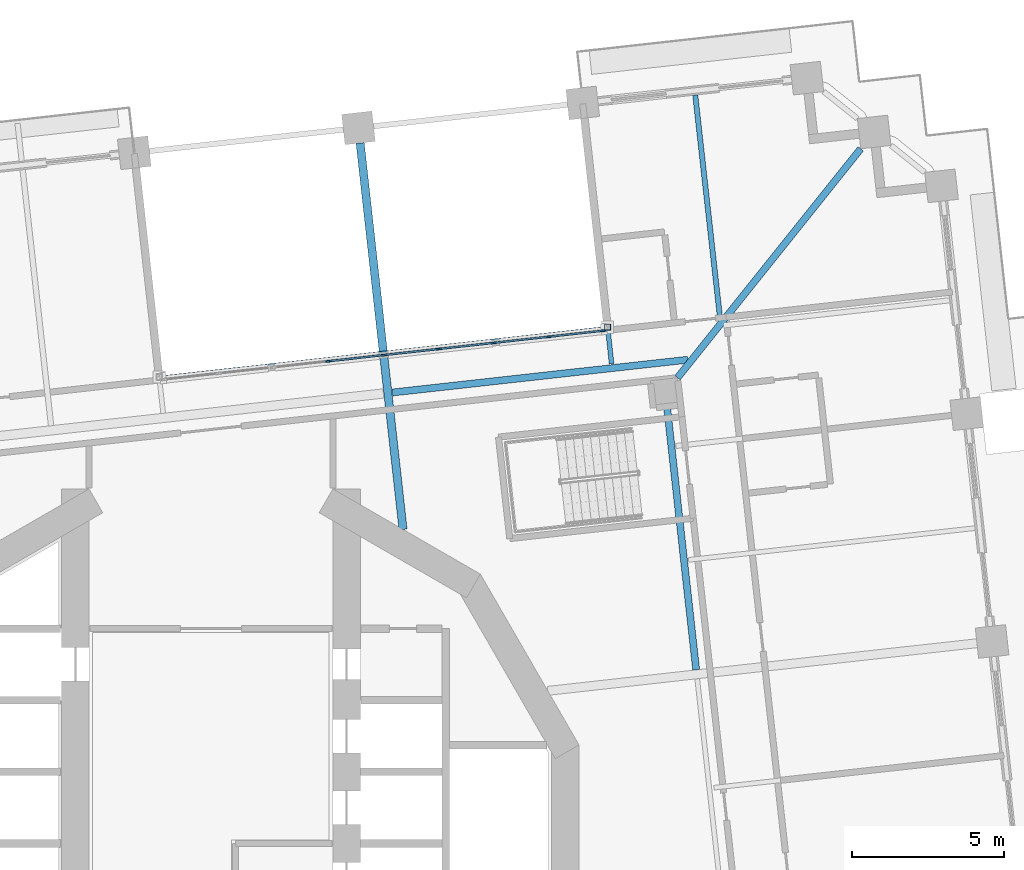
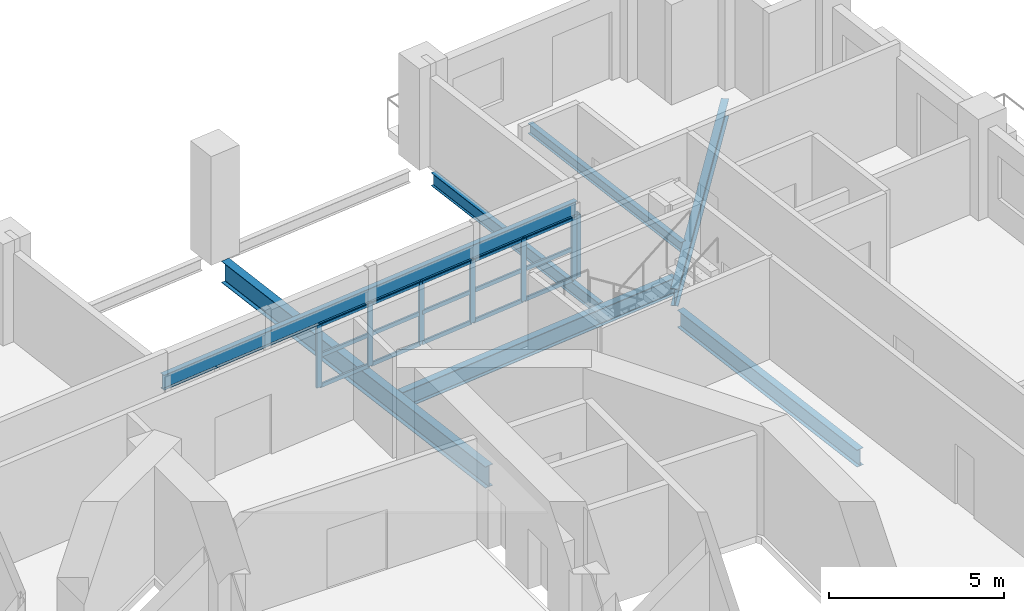
# One storey, part 4 of 20: 22 members, 7 beams, 1 element without a shape of its own.
"""IFC4 building model written with IfcOpenShell, lengths in metres."""

from ifc_helpers import new_model, si_unit, direction, frame, origin, origin_2d, place, context, subcontext, project, spatial, rectangle, hollow_rectangle, i_section, extrude, material, material_profile, profile_set, type_object, element, aggregate, save


model = new_model("IFC4")

# Units and contexts
model_context = context("Model", 3, precision=1e-05, world=origin(), true_north=direction((0.0, 1.0)))
body_context = subcontext(model_context, "Body", "Model", "MODEL_VIEW")
ifc_project = project(units=[si_unit("LENGTHUNIT", "METRE"), si_unit("AREAUNIT", "SQUARE_METRE"), si_unit("VOLUMEUNIT", "CUBIC_METRE"), si_unit("PLANEANGLEUNIT", "RADIAN"), si_unit("MASSUNIT", "GRAM", prefix="KILO")], contexts=[model_context])

# Site, building, storey
site_placement = place(None, origin())
site = spatial("IfcSite", under=ifc_project, at=site_placement, CompositionType="ELEMENT")
building_placement = place(site_placement, origin())
building = spatial("IfcBuilding", under=site, at=building_placement, Name="Cantera Rosa Tower", CompositionType="ELEMENT")
storey_placement = place(building_placement, frame((0.0, 0.0, 50.10009765625)))
storey = spatial("IfcBuildingStorey", under=building, at=storey_placement, Name="L09", CompositionType="ELEMENT", Elevation=50.10009765625)

# Curtain wall, members
ifc_material_1 = material(Name="Aluminium frame with clear glass", Category="aluminium")
curtain_wall_type = type_object("IfcCurtainWallType", Name="CW1 TERRACE POCKET GLAZING", PredefinedType="NOTDEFINED", material=ifc_material_1)
curtain_wall_placement = place(storey_placement, origin())
curtain_wall = element("IfcCurtainWall", 1, at=curtain_wall_placement, inside=storey, type_object=curtain_wall_type, Name="CW1 CW1", PredefinedType="NOTDEFINED")
ifc_material_2 = material(Name="Anodised bronze aluminium", Category="aluminium")
ifc_material_profile_1 = material_profile(ifc_material_2, rectangle(XDim=0.06005859375, YDim=0.179931640625, at=origin_2d()), Name="CW-MULLION 60x180 POCKET")
ifc_profile_set_1 = profile_set([ifc_material_profile_1], Name="Anodised bronze aluminium")
member_type_1 = type_object("IfcMemberType", Name="CW-MULLION 60x180 POCKET", PredefinedType="MULLION", material=ifc_profile_set_1)
member_1_placement = place(storey_placement, frame((12.867919921875, 16.822265625, 0.0), z_axis=(0.0, 0.0, 1.0), x_axis=(0.110312555543, -0.993896946413, 0.0)))
member_1 = element("IfcMember", 2, at=member_1_placement, type_object=member_type_1, Name="CW1 mullion 1", PredefinedType="MULLION", context=body_context, shape_type="SweptSolid", body=[
    extrude(rectangle(XDim=0.06005859375, YDim=0.179931640625, at=origin_2d()), origin(), (0.0, 0.0, 1.0), 2.185791015625),
])
member_2_placement = place(storey_placement, frame((11.090087890625, 16.624755859375, 0.0), z_axis=(0.0, 0.0, 1.0), x_axis=(0.110312555543, -0.993896946413, 0.0)))
member_2 = element("IfcMember", 3, at=member_2_placement, type_object=member_type_1, Name="CW1 mullion 2", PredefinedType="MULLION", context=body_context, shape_type="SweptSolid", body=[
    extrude(rectangle(XDim=0.06005859375, YDim=0.179931640625, at=origin_2d()), origin(), (0.0, 0.0, 1.0), 2.185791015625),
])
member_3_placement = place(storey_placement, frame((9.282470703125, 16.42431640625, 0.0), z_axis=(0.0, 0.0, 1.0), x_axis=(0.110312555543, -0.993896946413, 0.0)))
member_3 = element("IfcMember", 4, at=member_3_placement, type_object=member_type_1, Name="CW1 mullion 3", PredefinedType="MULLION", context=body_context, shape_type="SweptSolid", body=[
    extrude(rectangle(XDim=0.06005859375, YDim=0.179931640625, at=origin_2d()), origin(), (0.0, 0.0, 1.0), 2.185791015625),
])
member_4_placement = place(storey_placement, frame((7.474609375, 16.2236328125, 0.0), z_axis=(0.0, 0.0, 1.0), x_axis=(0.110312555543, -0.993896946413, 0.0)))
member_4 = element("IfcMember", 5, at=member_4_placement, type_object=member_type_1, Name="CW1 mullion 4", PredefinedType="MULLION", context=body_context, shape_type="SweptSolid", body=[
    extrude(rectangle(XDim=0.06005859375, YDim=0.179931640625, at=origin_2d()), origin(), (0.0, 0.0, 1.0), 2.185791015625),
])
member_5_placement = place(storey_placement, frame((5.6669921875, 16.02294921875, 0.0), z_axis=(0.0, 0.0, 1.0), x_axis=(0.110312555543, -0.993896946413, 0.0)))
member_5 = element("IfcMember", 6, at=member_5_placement, type_object=member_type_1, Name="CW1 mullion 5", PredefinedType="MULLION", context=body_context, shape_type="SweptSolid", body=[
    extrude(rectangle(XDim=0.06005859375, YDim=0.179931640625, at=origin_2d()), origin(), (0.0, 0.0, 1.0), 2.185791015625),
])
member_6_placement = place(storey_placement, frame((3.859375, 15.822265625, 0.0), z_axis=(0.0, 0.0, 1.0), x_axis=(0.110312555543, -0.993896946413, 0.0)))
member_6 = element("IfcMember", 7, at=member_6_placement, type_object=member_type_1, Name="CW1 mullion 6", PredefinedType="MULLION", context=body_context, shape_type="SweptSolid", body=[
    extrude(rectangle(XDim=0.06005859375, YDim=0.179931640625, at=origin_2d()), origin(), (0.0, 0.0, 1.0), 2.185791015625),
])
ifc_material_3 = material(Name="Anodised bronze aluminium", Category="aluminium")
ifc_material_profile_2 = material_profile(ifc_material_3, rectangle(XDim=0.06005859375, YDim=0.139892578125, at=origin_2d()), Name="CW-TRANSOM 60x140 POCKET")
ifc_profile_set_2 = profile_set([ifc_material_profile_2], Name="Anodised bronze aluminium")
member_type_2 = type_object("IfcMemberType", Name="CW-TRANSOM 60x140 POCKET", PredefinedType="USERDEFINED", material=ifc_profile_set_2)
member_7_placement = place(storey_placement, frame((12.838134765625, 16.81884765625, 0.02978515625), z_axis=(-0.993899224529, -0.110292028184, 0.0), x_axis=(0.110292028184, -0.993899224529, 0.0)))
member_7 = element("IfcMember", 8, at=member_7_placement, type_object=member_type_2, Name="CW1 transom 1.1", ObjectType="TRANSOM", PredefinedType="USERDEFINED", context=body_context, shape_type="SweptSolid", body=[
    extrude(rectangle(XDim=0.06005859375, YDim=0.139892578125, at=origin_2d()), origin(), (0.0, 0.0, 1.0), 1.728759765625),
])
member_8_placement = place(storey_placement, frame((12.838134765625, 16.81884765625, 1.093017578125), z_axis=(-0.993899224529, -0.110292028184, 0.0), x_axis=(0.110292028184, -0.993899224529, 0.0)))
member_8 = element("IfcMember", 9, at=member_8_placement, type_object=member_type_2, Name="CW1 transom 1.2", ObjectType="TRANSOM", PredefinedType="USERDEFINED", context=body_context, shape_type="SweptSolid", body=[
    extrude(rectangle(XDim=0.06005859375, YDim=0.139892578125, at=origin_2d()), origin(), (0.0, 0.0, 1.0), 1.728759765625),
])
member_9_placement = place(storey_placement, frame((12.838134765625, 16.81884765625, 2.156005859375), z_axis=(-0.993899224529, -0.110292028184, 0.0), x_axis=(0.110292028184, -0.993899224529, 0.0)))
member_9 = element("IfcMember", 10, at=member_9_placement, type_object=member_type_2, Name="CW1 transom 1.3", ObjectType="TRANSOM", PredefinedType="USERDEFINED", context=body_context, shape_type="SweptSolid", body=[
    extrude(rectangle(XDim=0.06005859375, YDim=0.139892578125, at=origin_2d()), origin(), (0.0, 0.0, 1.0), 1.728759765625),
])
member_10_placement = place(storey_placement, frame((11.060302734375, 16.62158203125, 0.02978515625), z_axis=(-0.993892195886, -0.110355348566, 0.0), x_axis=(0.110355348566, -0.993892195886, 0.0)))
member_10 = element("IfcMember", 11, at=member_10_placement, type_object=member_type_2, Name="CW1 transom 2.1", ObjectType="TRANSOM", PredefinedType="USERDEFINED", context=body_context, shape_type="SweptSolid", body=[
    extrude(rectangle(XDim=0.06005859375, YDim=0.139892578125, at=origin_2d()), origin(), (0.0, 0.0, 1.0), 1.7587890625),
])
member_11_placement = place(storey_placement, frame((11.060302734375, 16.62158203125, 1.093017578125), z_axis=(-0.993892195886, -0.110355348566, 0.0), x_axis=(0.110355348566, -0.993892195886, 0.0)))
member_11 = element("IfcMember", 12, at=member_11_placement, type_object=member_type_2, Name="CW1 transom 2.2", ObjectType="TRANSOM", PredefinedType="USERDEFINED", context=body_context, shape_type="SweptSolid", body=[
    extrude(rectangle(XDim=0.06005859375, YDim=0.139892578125, at=origin_2d()), origin(), (0.0, 0.0, 1.0), 1.7587890625),
])
member_12_placement = place(storey_placement, frame((11.060302734375, 16.62158203125, 2.156005859375), z_axis=(-0.993892195886, -0.110355348566, 0.0), x_axis=(0.110355348566, -0.993892195886, 0.0)))
member_12 = element("IfcMember", 13, at=member_12_placement, type_object=member_type_2, Name="CW1 transom 2.3", ObjectType="TRANSOM", PredefinedType="USERDEFINED", context=body_context, shape_type="SweptSolid", body=[
    extrude(rectangle(XDim=0.06005859375, YDim=0.139892578125, at=origin_2d()), origin(), (0.0, 0.0, 1.0), 1.7587890625),
])
member_13_placement = place(storey_placement, frame((9.25244140625, 16.4208984375, 0.02978515625), z_axis=(-0.993890505044, -0.11037057571, 0.0), x_axis=(0.11037057571, -0.993890505044, 0.0)))
member_13 = element("IfcMember", 14, at=member_13_placement, type_object=member_type_2, Name="CW1 transom 3.1", ObjectType="TRANSOM", PredefinedType="USERDEFINED", context=body_context, shape_type="SweptSolid", body=[
    extrude(rectangle(XDim=0.06005859375, YDim=0.139892578125, at=origin_2d()), origin(), (0.0, 0.0, 1.0), 1.758544921875),
])
member_14_placement = place(storey_placement, frame((9.25244140625, 16.4208984375, 1.093017578125), z_axis=(-0.993890505044, -0.11037057571, 0.0), x_axis=(0.11037057571, -0.993890505044, 0.0)))
member_14 = element("IfcMember", 15, at=member_14_placement, type_object=member_type_2, Name="CW1 transom 3.2", ObjectType="TRANSOM", PredefinedType="USERDEFINED", context=body_context, shape_type="SweptSolid", body=[
    extrude(rectangle(XDim=0.06005859375, YDim=0.139892578125, at=origin_2d()), origin(), (0.0, 0.0, 1.0), 1.758544921875),
])
member_15_placement = place(storey_placement, frame((9.25244140625, 16.4208984375, 2.156005859375), z_axis=(-0.993890505044, -0.11037057571, 0.0), x_axis=(0.11037057571, -0.993890505044, 0.0)))
member_15 = element("IfcMember", 16, at=member_15_placement, type_object=member_type_2, Name="CW1 transom 3.3", ObjectType="TRANSOM", PredefinedType="USERDEFINED", context=body_context, shape_type="SweptSolid", body=[
    extrude(rectangle(XDim=0.06005859375, YDim=0.139892578125, at=origin_2d()), origin(), (0.0, 0.0, 1.0), 1.758544921875),
])
member_16_placement = place(storey_placement, frame((7.44482421875, 16.22021484375, 0.02978515625), z_axis=(-0.993907411717, -0.110218224148, 0.0), x_axis=(0.110218224148, -0.993907411717, 0.0)))
member_16 = element("IfcMember", 17, at=member_16_placement, type_object=member_type_2, Name="CW1 transom 4.1", ObjectType="TRANSOM", PredefinedType="USERDEFINED", context=body_context, shape_type="SweptSolid", body=[
    extrude(rectangle(XDim=0.06005859375, YDim=0.139892578125, at=origin_2d()), origin(), (0.0, 0.0, 1.0), 1.7587890625),
])
member_17_placement = place(storey_placement, frame((7.44482421875, 16.22021484375, 1.093017578125), z_axis=(-0.993907411717, -0.110218224148, 0.0), x_axis=(0.110218224148, -0.993907411717, 0.0)))
member_17 = element("IfcMember", 18, at=member_17_placement, type_object=member_type_2, Name="CW1 transom 4.2", ObjectType="TRANSOM", PredefinedType="USERDEFINED", context=body_context, shape_type="SweptSolid", body=[
    extrude(rectangle(XDim=0.06005859375, YDim=0.139892578125, at=origin_2d()), origin(), (0.0, 0.0, 1.0), 1.7587890625),
])
member_18_placement = place(storey_placement, frame((7.44482421875, 16.22021484375, 2.156005859375), z_axis=(-0.993907411717, -0.110218224148, 0.0), x_axis=(0.110218224148, -0.993907411717, 0.0)))
member_18 = element("IfcMember", 19, at=member_18_placement, type_object=member_type_2, Name="CW1 transom 4.3", ObjectType="TRANSOM", PredefinedType="USERDEFINED", context=body_context, shape_type="SweptSolid", body=[
    extrude(rectangle(XDim=0.06005859375, YDim=0.139892578125, at=origin_2d()), origin(), (0.0, 0.0, 1.0), 1.7587890625),
])
member_19_placement = place(storey_placement, frame((5.63720703125, 16.01953125, 0.02978515625), z_axis=(-0.993907411717, -0.110218224148, 0.0), x_axis=(0.110218224148, -0.993907411717, 0.0)))
member_19 = element("IfcMember", 20, at=member_19_placement, type_object=member_type_2, Name="CW1 transom 5.1", ObjectType="TRANSOM", PredefinedType="USERDEFINED", context=body_context, shape_type="SweptSolid", body=[
    extrude(rectangle(XDim=0.06005859375, YDim=0.139892578125, at=origin_2d()), origin(), (0.0, 0.0, 1.0), 1.7587890625),
])
member_20_placement = place(storey_placement, frame((5.63720703125, 16.01953125, 1.093017578125), z_axis=(-0.993907411717, -0.110218224148, 0.0), x_axis=(0.110218224148, -0.993907411717, 0.0)))
member_20 = element("IfcMember", 21, at=member_20_placement, type_object=member_type_2, Name="CW1 transom 5.2", ObjectType="TRANSOM", PredefinedType="USERDEFINED", context=body_context, shape_type="SweptSolid", body=[
    extrude(rectangle(XDim=0.06005859375, YDim=0.139892578125, at=origin_2d()), origin(), (0.0, 0.0, 1.0), 1.7587890625),
])
member_21_placement = place(storey_placement, frame((5.63720703125, 16.01953125, 2.156005859375), z_axis=(-0.993907411717, -0.110218224148, 0.0), x_axis=(0.110218224148, -0.993907411717, 0.0)))
member_21 = element("IfcMember", 22, at=member_21_placement, type_object=member_type_2, Name="CW1 transom 5.3", ObjectType="TRANSOM", PredefinedType="USERDEFINED", context=body_context, shape_type="SweptSolid", body=[
    extrude(rectangle(XDim=0.06005859375, YDim=0.139892578125, at=origin_2d()), origin(), (0.0, 0.0, 1.0), 1.7587890625),
])
aggregate(curtain_wall, [member_1, member_2, member_3, member_4, member_5, member_6, member_7, member_8, member_9, member_10, member_11, member_12, member_13, member_14, member_15, member_16, member_17, member_18, member_19, member_20, member_21])

# Member
ifc_material_4 = material(Name="Steel ASTM A992 (Fy 345 MPa)", Category="steel")
ifc_material_profile_3 = material_profile(ifc_material_4, hollow_rectangle(XDim=0.199951171875, YDim=0.199951171875, WallThickness=0.010009765625, at=origin_2d()), Name="LINTEL POST RHS 200x200x10")
ifc_profile_set_3 = profile_set([ifc_material_profile_3], Name="Steel ASTM A992 (Fy 345 MPa)")
member_type_3 = type_object("IfcMemberType", Name="LINTEL POST RHS 200x200x10", PredefinedType="USERDEFINED", material=ifc_profile_set_3)
member_22_placement = place(storey_placement, frame((13.010986328125, 16.938720703125, 0.0), z_axis=(0.0, 0.0, 1.0), x_axis=(1.0, 0.0, 0.0)))
element("IfcMember", 23, at=member_22_placement, inside=storey, type_object=member_type_3, Name="LINTEL POST L09-1", ObjectType="LINTEL POST", PredefinedType="USERDEFINED", context=body_context, shape_type="SweptSolid", body=[
    extrude(hollow_rectangle(XDim=0.199951171875, YDim=0.199951171875, WallThickness=0.010009765625, at=origin_2d()), origin(), (0.0, 0.0, 1.0), 2.18798828125),
])

# Beams
ifc_material_5 = material(Name="Steel ASTM A992 (Fy 345 MPa)", Category="steel")
ifc_material_profile_4 = material_profile(ifc_material_5, i_section(OverallWidth=0.154052734375, OverallDepth=0.4599609375, WebThickness=0.009033203125, FlangeThickness=0.015380859375, FilletRadius=0.01025390625, at=origin_2d()), Name="W460X68")
ifc_profile_set_4 = profile_set([ifc_material_profile_4], Name="Steel ASTM A992 (Fy 345 MPa)")
beam_type_1 = type_object("IfcBeamType", Name="STEEL BEAM W460X68", PredefinedType="BEAM", material=ifc_profile_set_4)
beam_1_placement = place(storey_placement, frame((12.249755859375, 23.796630859375, -0.47998046875), z_axis=(0.110312435488, -0.993896959738, 0.0), x_axis=(0.993896959738, 0.110312435488, 0.0)))
element("IfcBeam", 24, at=beam_1_placement, inside=storey, type_object=beam_type_1, Name="G-Z1-05 L09", PredefinedType="BEAM", context=body_context, shape_type="SweptSolid", body=[
    extrude(i_section(OverallWidth=0.154052734375, OverallDepth=0.4599609375, WebThickness=0.009033203125, FlangeThickness=0.015380859375, FilletRadius=0.01025390625, at=origin_2d()), origin(), (0.0, 0.0, 1.0), 8.10009765625),
])
ifc_material_6 = material(Name="Steel ASTM A992 (Fy 345 MPa)", Category="steel")
ifc_material_profile_5 = material_profile(ifc_material_6, i_section(OverallWidth=0.166015625, OverallDepth=0.528076171875, WebThickness=0.009765625, FlangeThickness=0.013671875, FilletRadius=0.0126953125, at=origin_2d()), Name="W530X74")
ifc_profile_set_5 = profile_set([ifc_material_profile_5], Name="Steel ASTM A992 (Fy 345 MPa)")
beam_type_2 = type_object("IfcBeamType", Name="STEEL BEAM W530X74", PredefinedType="BEAM", material=ifc_profile_set_5)
beam_2_placement = place(storey_placement, frame((12.966796875, 16.88330078125, 2.451904296875), z_axis=(-0.993897094914, -0.110311217573, 0.0), x_axis=(0.110311217573, -0.993897094914, 0.0)))
element("IfcBeam", 25, at=beam_2_placement, inside=storey, type_object=beam_type_2, Name="LINTEL SL-L09", PredefinedType="BEAM", context=body_context, shape_type="SweptSolid", body=[
    extrude(i_section(OverallWidth=0.166015625, OverallDepth=0.528076171875, WebThickness=0.009765625, FlangeThickness=0.013671875, FilletRadius=0.0126953125, at=origin_2d()), origin(), (0.0, 0.0, 1.0), 14.699951171875),
])
ifc_material_7 = material(Name="Steel ASTM A992 (Fy 345 MPa)", Category="steel")
ifc_material_profile_6 = material_profile(ifc_material_7, i_section(OverallWidth=0.22802734375, OverallDepth=0.60205078125, WebThickness=0.010498046875, FlangeThickness=0.014892578125, FilletRadius=0.0126953125, at=origin_2d()), Name="W610X101")
ifc_profile_set_6 = profile_set([ifc_material_profile_6], Name="Steel ASTM A992 (Fy 345 MPa)")
beam_type_3 = type_object("IfcBeamType", Name="STEEL BEAM W610X101", PredefinedType="BEAM", material=ifc_profile_set_6)
beam_3_placement = place(storey_placement, frame((21.31591796875, 22.79052734375, -0.551025390625), z_axis=(-0.624787924463, -0.780794498857, 0.0), x_axis=(0.780794498857, -0.624787924463, 0.0)))
element("IfcBeam", 26, at=beam_3_placement, inside=storey, type_object=beam_type_3, Name="CB-Z1-01 L09", PredefinedType="BEAM", context=body_context, shape_type="SweptSolid", body=[
    extrude(i_section(OverallWidth=0.22802734375, OverallDepth=0.60205078125, WebThickness=0.010498046875, FlangeThickness=0.014892578125, FilletRadius=0.0126953125, at=origin_2d()), origin(), (0.0, 0.0, 1.0), 9.616455078125),
])
beam_4_placement = place(storey_placement, frame((15.918212890625, 5.70068359375, -0.551025390625), z_axis=(-0.110298932846, 0.993898458301, 0.0), x_axis=(-0.993898458301, -0.110298932846, 0.0)))
element("IfcBeam", 27, at=beam_4_placement, inside=storey, type_object=beam_type_3, Name="RB-Z1-09 L09", PredefinedType="BEAM", context=body_context, shape_type="SweptSolid", body=[
    extrude(i_section(OverallWidth=0.22802734375, OverallDepth=0.60205078125, WebThickness=0.010498046875, FlangeThickness=0.014892578125, FilletRadius=0.0126953125, at=origin_2d()), origin(), (0.0, 0.0, 1.0), 8.68994140625),
])
ifc_material_8 = material(Name="Steel ASTM A992 (Fy 345 MPa)", Category="steel")
ifc_material_profile_7 = material_profile(ifc_material_8, i_section(OverallWidth=0.22900390625, OverallDepth=0.612060546875, WebThickness=0.011962890625, FlangeThickness=0.01953125, FilletRadius=0.0126953125, at=origin_2d()), Name="W610X125")
ifc_profile_set_7 = profile_set([ifc_material_profile_7], Name="Steel ASTM A992 (Fy 345 MPa)")
beam_type_4 = type_object("IfcBeamType", Name="STEEL BEAM W610X125", PredefinedType="BEAM", material=ifc_profile_set_7)
beam_5_placement = place(storey_placement, frame((5.9541015625, 14.797119140625, -0.55615234375), z_axis=(0.993898078625, 0.110302354035, 0.0), x_axis=(-0.110302354035, 0.993898078625, 0.0)))
element("IfcBeam", 28, at=beam_5_placement, inside=storey, type_object=beam_type_4, Name="RB-Z1-03 L09", PredefinedType="BEAM", context=body_context, shape_type="SweptSolid", body=[
    extrude(i_section(OverallWidth=0.22900390625, OverallDepth=0.612060546875, WebThickness=0.011962890625, FlangeThickness=0.01953125, FilletRadius=0.0126953125, at=origin_2d()), origin(), (0.0, 0.0, 1.0), 9.75),
])
ifc_material_9 = material(Name="Steel ASTM A992 (Fy 345 MPa)", Category="steel")
ifc_material_profile_8 = material_profile(ifc_material_9, i_section(OverallWidth=0.26708984375, OverallDepth=0.75390625, WebThickness=0.01318359375, FlangeThickness=0.01708984375, FilletRadius=0.0166015625, at=origin_2d()), Name="W760X147")
ifc_profile_set_8 = profile_set([ifc_material_profile_8], Name="Steel ASTM A992 (Fy 345 MPa)")
beam_type_5 = type_object("IfcBeamType", Name="STEEL BEAM W760X147", PredefinedType="BEAM", material=ifc_profile_set_8)
beam_6_placement = place(storey_placement, frame((4.894775390625, 22.980224609375, -0.627197265625), z_axis=(0.11031177493, -0.993897033053, 0.0), x_axis=(0.993897033053, 0.11031177493, 0.0)))
element("IfcBeam", 29, at=beam_6_placement, inside=storey, type_object=beam_type_5, Name="G-Z1-06 L09", PredefinedType="BEAM", context=body_context, shape_type="SweptSolid", body=[
    extrude(i_section(OverallWidth=0.26708984375, OverallDepth=0.75390625, WebThickness=0.01318359375, FlangeThickness=0.01708984375, FilletRadius=0.0166015625, at=origin_2d()), origin(), (0.0, 0.0, 1.0), 12.754638671875),
])
ifc_material_10 = material(Name="Steel ASTM A992 (Fy 345 MPa)", Category="steel")
ifc_material_profile_9 = material_profile(ifc_material_10, i_section(OverallWidth=0.1708984375, OverallDepth=0.35595703125, WebThickness=0.00732421875, FlangeThickness=0.01171875, FilletRadius=0.010009765625, at=origin_2d()), Name="W360X51")
ifc_profile_set_9 = profile_set([ifc_material_profile_9], Name="Steel ASTM A992 (Fy 345 MPa)")
beam_type_6 = type_object("IfcBeamType", Name="STEEL JOIST W360X51", PredefinedType="JOIST", material=ifc_profile_set_9)
beam_7_placement = place(storey_placement, frame((15.888427734375, 24.552490234375, -0.427978515625), z_axis=(0.110326513132, -0.993895397162, 0.0), x_axis=(0.993895397162, 0.110326513132, 0.0)))
element("IfcBeam", 30, at=beam_7_placement, inside=storey, type_object=beam_type_6, Name="B-Z1-06 L09", PredefinedType="JOIST", context=body_context, shape_type="SweptSolid", body=[
    extrude(i_section(OverallWidth=0.1708984375, OverallDepth=0.35595703125, WebThickness=0.00732421875, FlangeThickness=0.01171875, FilletRadius=0.010009765625, at=origin_2d()), origin(), (0.0, 0.0, 1.0), 7.39990234375),
])

save(model, "model.ifc")
